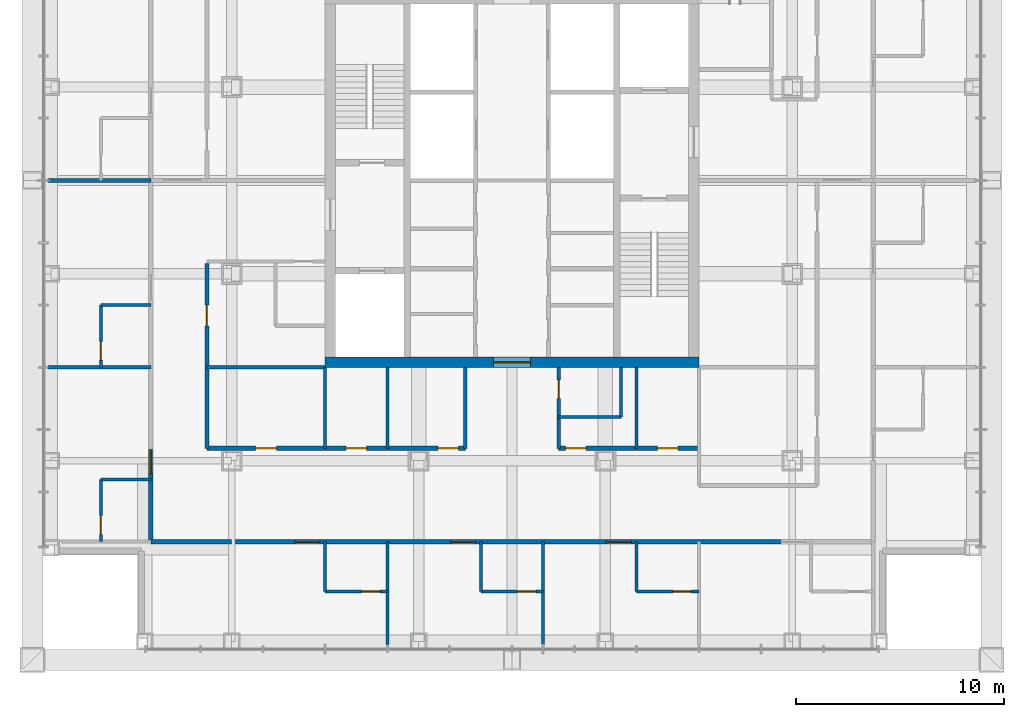
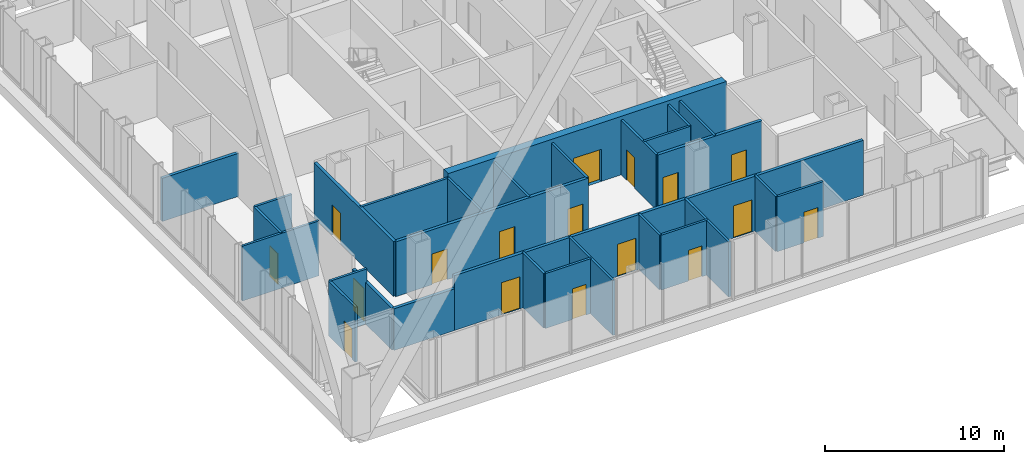
# One storey, part 11 of 16: 29 walls, 17 doors, 17 openings.
"""IFC4 building model written with IfcOpenShell, lengths in metres."""

from ifc_helpers import new_model, si_unit, direction, frame, frame_2d, origin, place, context, subcontext, project, spatial, rectangle, extrude, material, layer, layer_set, type_object, element, fill, save


model = new_model("IFC4")

# Units and contexts
model_context = context("Model", 3, precision=1e-05, world=origin(), true_north=direction((0.0, 1.0)))
body_context = subcontext(model_context, "Body", "Model", "MODEL_VIEW")
ifc_project = project(units=[si_unit("LENGTHUNIT", "METRE"), si_unit("AREAUNIT", "SQUARE_METRE"), si_unit("VOLUMEUNIT", "CUBIC_METRE"), si_unit("PLANEANGLEUNIT", "RADIAN"), si_unit("MASSUNIT", "GRAM", prefix="KILO")], contexts=[model_context])

# Site, building, storey
site_placement = place(None, origin())
site = spatial("IfcSite", under=ifc_project, at=site_placement, CompositionType="ELEMENT")
building_placement = place(site_placement, origin())
building = spatial("IfcBuilding", under=site, at=building_placement, Name="Malebo Sky Hospital", CompositionType="ELEMENT")
storey_placement = place(building_placement, frame((0.0, 0.0, 209.0)))
storey = spatial("IfcBuildingStorey", under=building, at=storey_placement, Name="L50", CompositionType="ELEMENT", Elevation=209.0)

# Wall, opening, door
ifc_material_1 = material(Name="Concrete C80/95", Category="concrete")
ifc_layer_1 = layer(ifc_material_1, 0.5)
ifc_layer_set_1 = layer_set([ifc_layer_1], Name="CORE WALL 500")
wall_type_1 = type_object("IfcWallType", Name="CORE WALL 500", PredefinedType="SHEAR", material=ifc_layer_set_1)
wall_1_placement = place(storey_placement, frame((51.0, 53.25, 0.0), z_axis=(0.0, 0.0, 1.0), x_axis=(1.0, 0.0, 0.0)))
wall_1 = element("IfcWall", 1, at=wall_1_placement, inside=storey, type_object=wall_type_1, Name="Core wall S L50", PredefinedType="SHEAR", context=body_context, shape_type="SweptSolid", body=[
    extrude(rectangle(XDim=18.0, YDim=0.5, at=frame_2d((9.0, 0.0))), origin(), (0.0, 0.0, 1.0), 4.0),
])
opening_1_placement = place(wall_1_placement, frame((8.10009765625, 0.0, 0.0)))
opening_1 = element("IfcOpeningElement", 2, at=opening_1_placement, cuts=wall_1, Name="Opening D06", PredefinedType="OPENING", context=body_context, shape_type="SweptSolid", body=[
    extrude(rectangle(XDim=1.800048828125, YDim=2.199951171875, at=frame_2d((0.89990234375, 1.10009765625))), frame((0.0, 0.260009765625, 0.0), z_axis=(0.0, -1.0, 0.0), x_axis=(1.0, 0.0, 0.0)), (0.0, 0.0, 1.0), 0.52001953125),
])
ifc_material_2 = material(Name="Hardwood-faced door leaf in steel frame", Category="steel")
door_type_1 = type_object("IfcDoorType", Name="LOBBY DOOR PAIR 1800", OperationType="DOUBLE_DOOR_SINGLE_SWING", PredefinedType="DOOR", material=ifc_material_2)
door_1_placement = place(opening_1_placement, origin())
door_1 = element("IfcDoor", 3, at=door_1_placement, inside=storey, type_object=door_type_1, Name="Service lobby door south", OperationType="DOUBLE_DOOR_SINGLE_SWING", OverallHeight=2.199951171875, OverallWidth=1.800048828125, PredefinedType="DOOR", context=body_context, shape_type="SweptSolid", body=[
    extrude(rectangle(XDim=1.800048828125, YDim=2.199951171875, at=frame_2d((0.89990234375, 1.10009765625))), frame((0.0, 0.02490234375, 0.0), z_axis=(0.0, -1.0, 0.0), x_axis=(1.0, 0.0, 0.0)), (0.0, 0.0, 1.0), 0.050048828125),
])
fill(opening_1, door_1)

ifc_material_3 = material(Name="Gypsum board on steel studs", Category="steel")
ifc_layer_2 = layer(ifc_material_3, 0.199951171875)
ifc_layer_set_2 = layer_set([ifc_layer_2], Name="CORRIDOR WALL 200")
wall_type_2 = type_object("IfcWallType", Name="CORRIDOR WALL 200", PredefinedType="PARTITIONING", material=ifc_layer_set_2)
wall_2_placement = place(storey_placement, frame((42.60009765625, 44.60009765625, 0.0), z_axis=(0.0, 0.0, 1.0), x_axis=(0.0, 1.0, 0.0)))
wall_2 = element("IfcWall", 4, at=wall_2_placement, inside=storey, type_object=wall_type_2, Name="Corridor Wall 200 WCO", PredefinedType="PARTITIONING", context=body_context, shape_type="SweptSolid", body=[
    extrude(rectangle(XDim=4.449951171875, YDim=0.199951171875, at=frame_2d((2.22509765625, 0.0))), origin(), (0.0, 0.0, 1.0), 2.85009765625),
])
opening_2_placement = place(wall_2_placement, frame((3.25, 0.0, 0.0)))
opening_2 = element("IfcOpeningElement", 5, at=opening_2_placement, cuts=wall_2, Name="Opening D01", PredefinedType="OPENING", context=body_context, shape_type="SweptSolid", body=[
    extrude(rectangle(XDim=1.199951171875, YDim=2.199951171875, at=frame_2d((0.60009765625, 1.10009765625))), frame((0.0, 0.10986328125, 0.0), z_axis=(0.0, -1.0, 0.0), x_axis=(1.0, 0.0, 0.0)), (0.0, 0.0, 1.0), 0.219970703125),
])
door_type_2 = type_object("IfcDoorType", Name="BED DOOR 1200", OperationType="SINGLE_SWING_LEFT", PredefinedType="DOOR", material=ifc_material_2)
door_2_placement = place(opening_2_placement, origin())
door_2 = element("IfcDoor", 6, at=door_2_placement, inside=storey, type_object=door_type_2, Name="Birthing room door", OperationType="SINGLE_SWING_LEFT", OverallHeight=2.199951171875, OverallWidth=1.199951171875, PredefinedType="DOOR", context=body_context, shape_type="SweptSolid", body=[
    extrude(rectangle(XDim=1.199951171875, YDim=2.199951171875, at=frame_2d((0.60009765625, 1.10009765625))), frame((0.0, 0.02490234375, 0.0), z_axis=(0.0, -1.0, 0.0), x_axis=(1.0, 0.0, 0.0)), (0.0, 0.0, 1.0), 0.050048828125),
])
fill(opening_2, door_2)

wall_3_placement = place(storey_placement, frame((45.300048828125, 49.10009765625, 0.0), z_axis=(0.0, 0.0, 1.0), x_axis=(0.0, 1.0, 0.0)))
wall_3 = element("IfcWall", 7, at=wall_3_placement, inside=storey, type_object=wall_type_2, Name="Corridor Wall 200 WCI1", PredefinedType="PARTITIONING", context=body_context, shape_type="SweptSolid", body=[
    extrude(rectangle(XDim=8.89990234375, YDim=0.199951171875, at=frame_2d((4.449951171875, 0.0))), origin(), (0.0, 0.0, 1.0), 3.75),
])
opening_3_placement = place(wall_3_placement, frame((5.89990234375, 0.0, 0.0)))
opening_3 = element("IfcOpeningElement", 8, at=opening_3_placement, cuts=wall_3, Name="Opening D03", PredefinedType="OPENING", context=body_context, shape_type="SweptSolid", body=[
    extrude(rectangle(XDim=1.0, YDim=2.10009765625, at=frame_2d((0.5, 1.050048828125))), frame((0.0, 0.10986328125, 0.0), z_axis=(0.0, -1.0, 0.0), x_axis=(1.0, 0.0, 0.0)), (0.0, 0.0, 1.0), 0.219970703125),
])
door_type_3 = type_object("IfcDoorType", Name="ROOM DOOR 1000", OperationType="SINGLE_SWING_LEFT", PredefinedType="DOOR", material=ifc_material_2)
door_3_placement = place(opening_3_placement, origin())
door_3 = element("IfcDoor", 9, at=door_3_placement, inside=storey, type_object=door_type_3, Name="Clean utility room door", OperationType="SINGLE_SWING_LEFT", OverallHeight=2.10009765625, OverallWidth=1.0, PredefinedType="DOOR", context=body_context, shape_type="SweptSolid", body=[
    extrude(rectangle(XDim=1.0, YDim=2.10009765625, at=frame_2d((0.5, 1.050048828125))), frame((0.0, 0.02490234375, 0.0), z_axis=(0.0, -1.0, 0.0), x_axis=(1.0, 0.0, 0.0)), (0.0, 0.0, 1.0), 0.050048828125),
])
fill(opening_3, door_3)

# Wall, openings, doors
wall_4_placement = place(storey_placement, frame((72.949951171875, 44.60009765625, 0.0), z_axis=(0.0, 0.0, 1.0), x_axis=(-1.0, 0.0, 0.0)))
wall_4 = element("IfcWall", 10, at=wall_4_placement, inside=storey, type_object=wall_type_2, Name="Corridor Wall 200 SCO", PredefinedType="PARTITIONING", context=body_context, shape_type="SweptSolid", body=[
    extrude(rectangle(XDim=26.449951171875, YDim=0.199951171875, at=frame_2d((13.22509765625, 0.0))), origin(), (0.0, 0.0, 1.0), 3.75),
])
opening_4_placement = place(wall_4_placement, frame((7.199951171875, 0.0, 0.0)))
opening_4 = element("IfcOpeningElement", 11, at=opening_4_placement, cuts=wall_4, Name="Opening D01", PredefinedType="OPENING", context=body_context, shape_type="SweptSolid", body=[
    extrude(rectangle(XDim=1.199951171875, YDim=2.199951171875, at=frame_2d((0.60009765625, 1.10009765625))), frame((0.0, 0.10986328125, 0.0), z_axis=(0.0, -1.0, 0.0), x_axis=(1.0, 0.0, 0.0)), (0.0, 0.0, 1.0), 0.219970703125),
])
opening_5_placement = place(wall_4_placement, frame((14.699951171875, 0.0, 0.0)))
opening_5 = element("IfcOpeningElement", 12, at=opening_5_placement, cuts=wall_4, Name="Opening D01", PredefinedType="OPENING", context=body_context, shape_type="SweptSolid", body=[
    extrude(rectangle(XDim=1.199951171875, YDim=2.199951171875, at=frame_2d((0.60009765625, 1.10009765625))), frame((0.0, 0.10986328125, 0.0), z_axis=(0.0, -1.0, 0.0), x_axis=(1.0, 0.0, 0.0)), (0.0, 0.0, 1.0), 0.219970703125),
])
opening_6_placement = place(wall_4_placement, frame((22.199951171875, 0.0, 0.0)))
opening_6 = element("IfcOpeningElement", 13, at=opening_6_placement, cuts=wall_4, Name="Opening D01", PredefinedType="OPENING", context=body_context, shape_type="SweptSolid", body=[
    extrude(rectangle(XDim=1.199951171875, YDim=2.199951171875, at=frame_2d((0.60009765625, 1.10009765625))), frame((0.0, 0.10986328125, 0.0), z_axis=(0.0, -1.0, 0.0), x_axis=(1.0, 0.0, 0.0)), (0.0, 0.0, 1.0), 0.219970703125),
])
door_4_placement = place(opening_4_placement, origin())
door_4 = element("IfcDoor", 14, at=door_4_placement, inside=storey, type_object=door_type_2, Name="Birthing room door", OperationType="SINGLE_SWING_LEFT", OverallHeight=2.199951171875, OverallWidth=1.199951171875, PredefinedType="DOOR", context=body_context, shape_type="SweptSolid", body=[
    extrude(rectangle(XDim=1.199951171875, YDim=2.199951171875, at=frame_2d((0.60009765625, 1.10009765625))), frame((0.0, 0.02490234375, 0.0), z_axis=(0.0, -1.0, 0.0), x_axis=(1.0, 0.0, 0.0)), (0.0, 0.0, 1.0), 0.050048828125),
])
fill(opening_4, door_4)
door_5_placement = place(opening_5_placement, origin())
door_5 = element("IfcDoor", 15, at=door_5_placement, inside=storey, type_object=door_type_2, Name="Birthing room door", OperationType="SINGLE_SWING_LEFT", OverallHeight=2.199951171875, OverallWidth=1.199951171875, PredefinedType="DOOR", context=body_context, shape_type="SweptSolid", body=[
    extrude(rectangle(XDim=1.199951171875, YDim=2.199951171875, at=frame_2d((0.60009765625, 1.10009765625))), frame((0.0, 0.02490234375, 0.0), z_axis=(0.0, -1.0, 0.0), x_axis=(1.0, 0.0, 0.0)), (0.0, 0.0, 1.0), 0.050048828125),
])
fill(opening_5, door_5)
door_6_placement = place(opening_6_placement, origin())
door_6 = element("IfcDoor", 16, at=door_6_placement, inside=storey, type_object=door_type_2, Name="Birthing room door", OperationType="SINGLE_SWING_LEFT", OverallHeight=2.199951171875, OverallWidth=1.199951171875, PredefinedType="DOOR", context=body_context, shape_type="SweptSolid", body=[
    extrude(rectangle(XDim=1.199951171875, YDim=2.199951171875, at=frame_2d((0.60009765625, 1.10009765625))), frame((0.0, 0.02490234375, 0.0), z_axis=(0.0, -1.0, 0.0), x_axis=(1.0, 0.0, 0.0)), (0.0, 0.0, 1.0), 0.050048828125),
])
fill(opening_6, door_6)

# Wall
wall_5_placement = place(storey_placement, frame((46.5, 44.60009765625, 0.0), z_axis=(0.0, 0.0, 1.0), x_axis=(-1.0, 0.0, 0.0)))
element("IfcWall", 17, at=wall_5_placement, inside=storey, type_object=wall_type_2, Name="Corridor Wall 200 SCO", PredefinedType="PARTITIONING", context=body_context, shape_type="SweptSolid", body=[
    extrude(rectangle(XDim=3.89990234375, YDim=0.199951171875, at=frame_2d((1.949951171875, 0.0))), origin(), (0.0, 0.0, 1.0), 2.85009765625),
])

# Wall, openings, doors
wall_6_placement = place(storey_placement, frame((69.0, 49.10009765625, 0.0), z_axis=(0.0, 0.0, 1.0), x_axis=(-1.0, 0.0, 0.0)))
wall_6 = element("IfcWall", 18, at=wall_6_placement, inside=storey, type_object=wall_type_2, Name="Corridor Wall 200 SCI1", PredefinedType="PARTITIONING", context=body_context, shape_type="SweptSolid", body=[
    extrude(rectangle(XDim=6.75, YDim=0.199951171875, at=frame_2d((3.375, 0.0))), origin(), (0.0, 0.0, 1.0), 3.75),
])
opening_7_placement = place(wall_6_placement, frame((1.0, 0.0, 0.0)))
opening_7 = element("IfcOpeningElement", 19, at=opening_7_placement, cuts=wall_6, Name="Opening D03", PredefinedType="OPENING", context=body_context, shape_type="SweptSolid", body=[
    extrude(rectangle(XDim=1.0, YDim=2.10009765625, at=frame_2d((0.5, 1.050048828125))), frame((0.0, 0.10986328125, 0.0), z_axis=(0.0, -1.0, 0.0), x_axis=(1.0, 0.0, 0.0)), (0.0, 0.0, 1.0), 0.219970703125),
])
opening_8_placement = place(wall_6_placement, frame((5.425048828125, 0.0, 0.0)))
opening_8 = element("IfcOpeningElement", 20, at=opening_8_placement, cuts=wall_6, Name="Opening D03", PredefinedType="OPENING", context=body_context, shape_type="SweptSolid", body=[
    extrude(rectangle(XDim=1.0, YDim=2.10009765625, at=frame_2d((0.5, 1.050048828125))), frame((0.0, 0.10986328125, 0.0), z_axis=(0.0, -1.0, 0.0), x_axis=(1.0, 0.0, 0.0)), (0.0, 0.0, 1.0), 0.219970703125),
])
door_7_placement = place(opening_7_placement, origin())
door_7 = element("IfcDoor", 21, at=door_7_placement, inside=storey, type_object=door_type_3, Name="Ward office door", OperationType="SINGLE_SWING_LEFT", OverallHeight=2.10009765625, OverallWidth=1.0, PredefinedType="DOOR", context=body_context, shape_type="SweptSolid", body=[
    extrude(rectangle(XDim=1.0, YDim=2.10009765625, at=frame_2d((0.5, 1.050048828125))), frame((0.0, 0.02490234375, 0.0), z_axis=(0.0, -1.0, 0.0), x_axis=(1.0, 0.0, 0.0)), (0.0, 0.0, 1.0), 0.050048828125),
])
fill(opening_7, door_7)
door_8_placement = place(opening_8_placement, origin())
door_8 = element("IfcDoor", 22, at=door_8_placement, inside=storey, type_object=door_type_3, Name="Linen store door", OperationType="SINGLE_SWING_RIGHT", OverallHeight=2.10009765625, OverallWidth=1.0, PredefinedType="DOOR", context=body_context, shape_type="SweptSolid", body=[
    extrude(rectangle(XDim=1.0, YDim=2.10009765625, at=frame_2d((0.5, 1.050048828125))), frame((0.0, 0.02490234375, 0.0), z_axis=(0.0, -1.0, 0.0), x_axis=(1.0, 0.0, 0.0)), (0.0, 0.0, 1.0), 0.050048828125),
])
fill(opening_8, door_8)

wall_7_placement = place(storey_placement, frame((57.75, 49.10009765625, 0.0), z_axis=(0.0, 0.0, 1.0), x_axis=(-1.0, 0.0, 0.0)))
wall_7 = element("IfcWall", 23, at=wall_7_placement, inside=storey, type_object=wall_type_2, Name="Corridor Wall 200 SCI2", PredefinedType="PARTITIONING", context=body_context, shape_type="SweptSolid", body=[
    extrude(rectangle(XDim=12.449951171875, YDim=0.199951171875, at=frame_2d((6.22509765625, 0.0))), origin(), (0.0, 0.0, 1.0), 3.75),
])
opening_9_placement = place(wall_7_placement, frame((0.324951171875, 0.0, 0.0)))
opening_9 = element("IfcOpeningElement", 24, at=opening_9_placement, cuts=wall_7, Name="Opening D03", PredefinedType="OPENING", context=body_context, shape_type="SweptSolid", body=[
    extrude(rectangle(XDim=1.0, YDim=2.10009765625, at=frame_2d((0.5, 1.050048828125))), frame((0.0, 0.10986328125, 0.0), z_axis=(0.0, -1.0, 0.0), x_axis=(1.0, 0.0, 0.0)), (0.0, 0.0, 1.0), 0.219970703125),
])
opening_10_placement = place(wall_7_placement, frame((4.75, 0.0, 0.0)))
opening_10 = element("IfcOpeningElement", 25, at=opening_10_placement, cuts=wall_7, Name="Opening D03", PredefinedType="OPENING", context=body_context, shape_type="SweptSolid", body=[
    extrude(rectangle(XDim=1.0, YDim=2.10009765625, at=frame_2d((0.5, 1.050048828125))), frame((0.0, 0.10986328125, 0.0), z_axis=(0.0, -1.0, 0.0), x_axis=(1.0, 0.0, 0.0)), (0.0, 0.0, 1.0), 0.219970703125),
])
opening_11_placement = place(wall_7_placement, frame((9.10009765625, 0.0, 0.0)))
opening_11 = element("IfcOpeningElement", 26, at=opening_11_placement, cuts=wall_7, Name="Opening D03", PredefinedType="OPENING", context=body_context, shape_type="SweptSolid", body=[
    extrude(rectangle(XDim=1.0, YDim=2.10009765625, at=frame_2d((0.5, 1.050048828125))), frame((0.0, 0.10986328125, 0.0), z_axis=(0.0, -1.0, 0.0), x_axis=(1.0, 0.0, 0.0)), (0.0, 0.0, 1.0), 0.219970703125),
])
door_9_placement = place(opening_9_placement, origin())
door_9 = element("IfcDoor", 27, at=door_9_placement, inside=storey, type_object=door_type_3, Name="Ward pantry door", OperationType="SINGLE_SWING_LEFT", OverallHeight=2.10009765625, OverallWidth=1.0, PredefinedType="DOOR", context=body_context, shape_type="SweptSolid", body=[
    extrude(rectangle(XDim=1.0, YDim=2.10009765625, at=frame_2d((0.5, 1.050048828125))), frame((0.0, 0.02490234375, 0.0), z_axis=(0.0, -1.0, 0.0), x_axis=(1.0, 0.0, 0.0)), (0.0, 0.0, 1.0), 0.050048828125),
])
fill(opening_9, door_9)
door_10_placement = place(opening_10_placement, origin())
door_10 = element("IfcDoor", 28, at=door_10_placement, inside=storey, type_object=door_type_3, Name="Equipment store door", OperationType="SINGLE_SWING_LEFT", OverallHeight=2.10009765625, OverallWidth=1.0, PredefinedType="DOOR", context=body_context, shape_type="SweptSolid", body=[
    extrude(rectangle(XDim=1.0, YDim=2.10009765625, at=frame_2d((0.5, 1.050048828125))), frame((0.0, 0.02490234375, 0.0), z_axis=(0.0, -1.0, 0.0), x_axis=(1.0, 0.0, 0.0)), (0.0, 0.0, 1.0), 0.050048828125),
])
fill(opening_10, door_10)
door_11_placement = place(opening_11_placement, origin())
door_11 = element("IfcDoor", 29, at=door_11_placement, inside=storey, type_object=door_type_3, Name="Birthing pool store door", OperationType="SINGLE_SWING_RIGHT", OverallHeight=2.10009765625, OverallWidth=1.0, PredefinedType="DOOR", context=body_context, shape_type="SweptSolid", body=[
    extrude(rectangle(XDim=1.0, YDim=2.10009765625, at=frame_2d((0.5, 1.050048828125))), frame((0.0, 0.02490234375, 0.0), z_axis=(0.0, -1.0, 0.0), x_axis=(1.0, 0.0, 0.0)), (0.0, 0.0, 1.0), 0.050048828125),
])
fill(opening_11, door_11)

# Wall
ifc_layer_3 = layer(ifc_material_3, 0.14990234375)
ifc_layer_set_3 = layer_set([ifc_layer_3], Name="PARTITION 150")
wall_type_3 = type_object("IfcWallType", Name="PARTITION 150", PredefinedType="PARTITIONING", material=ifc_layer_set_3)
wall_8_placement = place(storey_placement, frame((42.60009765625, 53.0, 0.0), z_axis=(0.0, 0.0, 1.0), x_axis=(-1.0, 0.0, 0.0)))
element("IfcWall", 30, at=wall_8_placement, inside=storey, type_object=wall_type_3, Name="Partition 150 WP-9.0", PredefinedType="PARTITIONING", context=body_context, shape_type="SweptSolid", body=[
    extrude(rectangle(XDim=4.9501953125, YDim=0.14990234375, at=frame_2d((2.47509765625, 0.0))), origin(), (0.0, 0.0, 1.0), 3.75),
])

# Wall, opening, door
wall_9_placement = place(storey_placement, frame((40.199951171875, 44.60009765625, 0.0), z_axis=(0.0, 0.0, 1.0), x_axis=(0.0, 1.0, 0.0)))
wall_9 = element("IfcWall", 31, at=wall_9_placement, inside=storey, type_object=wall_type_3, Name="Partition 150 WE0F", PredefinedType="PARTITIONING", context=body_context, shape_type="SweptSolid", body=[
    extrude(rectangle(XDim=3.0, YDim=0.14990234375, at=frame_2d((1.5, 0.0))), origin(), (0.0, 0.0, 1.0), 3.75),
])
opening_12_placement = place(wall_9_placement, frame((0.35009765625, 0.0, 0.0)))
opening_12 = element("IfcOpeningElement", 32, at=opening_12_placement, cuts=wall_9, Name="Opening D02", PredefinedType="OPENING", context=body_context, shape_type="SweptSolid", body=[
    extrude(rectangle(XDim=0.89990234375, YDim=2.10009765625, at=frame_2d((0.449951171875, 1.050048828125))), frame((0.0, 0.0849609375, 0.0), z_axis=(0.0, -1.0, 0.0), x_axis=(1.0, 0.0, 0.0)), (0.0, 0.0, 1.0), 0.169921875),
])
door_type_4 = type_object("IfcDoorType", Name="EN-SUITE DOOR 900", OperationType="SINGLE_SWING_LEFT", PredefinedType="DOOR", material=ifc_material_2)
door_12_placement = place(opening_12_placement, origin())
door_12 = element("IfcDoor", 33, at=door_12_placement, inside=storey, type_object=door_type_4, Name="En-suite door", OperationType="SINGLE_SWING_LEFT", OverallHeight=2.10009765625, OverallWidth=0.89990234375, PredefinedType="DOOR", context=body_context, shape_type="SweptSolid", body=[
    extrude(rectangle(XDim=0.89990234375, YDim=2.10009765625, at=frame_2d((0.449951171875, 1.050048828125))), frame((0.0, 0.02490234375, 0.0), z_axis=(0.0, -1.0, 0.0), x_axis=(1.0, 0.0, 0.0)), (0.0, 0.0, 1.0), 0.050048828125),
])
fill(opening_12, door_12)

# Wall
wall_10_placement = place(storey_placement, frame((42.60009765625, 47.60009765625, 0.0), z_axis=(0.0, 0.0, 1.0), x_axis=(-1.0, 0.0, 0.0)))
element("IfcWall", 34, at=wall_10_placement, inside=storey, type_object=wall_type_3, Name="Partition 150 WE0S", PredefinedType="PARTITIONING", context=body_context, shape_type="SweptSolid", body=[
    extrude(rectangle(XDim=2.400146484375, YDim=0.14990234375, at=frame_2d((1.2001953125, 0.0))), origin(), (0.0, 0.0, 1.0), 3.75),
])

# Wall, opening, door
wall_11_placement = place(storey_placement, frame((40.199951171875, 53.0, 0.0), z_axis=(0.0, 0.0, 1.0), x_axis=(0.0, 1.0, 0.0)))
wall_11 = element("IfcWall", 35, at=wall_11_placement, inside=storey, type_object=wall_type_3, Name="Partition 150 WE1F", PredefinedType="PARTITIONING", context=body_context, shape_type="SweptSolid", body=[
    extrude(rectangle(XDim=3.0, YDim=0.14990234375, at=frame_2d((1.5, 0.0))), origin(), (0.0, 0.0, 1.0), 3.75),
])
opening_13_placement = place(wall_11_placement, frame((0.35009765625, 0.0, 0.0)))
opening_13 = element("IfcOpeningElement", 36, at=opening_13_placement, cuts=wall_11, Name="Opening D02", PredefinedType="OPENING", context=body_context, shape_type="SweptSolid", body=[
    extrude(rectangle(XDim=0.89990234375, YDim=2.10009765625, at=frame_2d((0.449951171875, 1.050048828125))), frame((0.0, 0.0849609375, 0.0), z_axis=(0.0, -1.0, 0.0), x_axis=(1.0, 0.0, 0.0)), (0.0, 0.0, 1.0), 0.169921875),
])
door_13_placement = place(opening_13_placement, origin())
door_13 = element("IfcDoor", 37, at=door_13_placement, inside=storey, type_object=door_type_4, Name="En-suite door", OperationType="SINGLE_SWING_LEFT", OverallHeight=2.10009765625, OverallWidth=0.89990234375, PredefinedType="DOOR", context=body_context, shape_type="SweptSolid", body=[
    extrude(rectangle(XDim=0.89990234375, YDim=2.10009765625, at=frame_2d((0.449951171875, 1.050048828125))), frame((0.0, 0.02490234375, 0.0), z_axis=(0.0, -1.0, 0.0), x_axis=(1.0, 0.0, 0.0)), (0.0, 0.0, 1.0), 0.050048828125),
])
fill(opening_13, door_13)

# Walls
wall_12_placement = place(storey_placement, frame((42.60009765625, 56.0, 0.0), z_axis=(0.0, 0.0, 1.0), x_axis=(-1.0, 0.0, 0.0)))
element("IfcWall", 38, at=wall_12_placement, inside=storey, type_object=wall_type_3, Name="Partition 150 WE1S", PredefinedType="PARTITIONING", context=body_context, shape_type="SweptSolid", body=[
    extrude(rectangle(XDim=2.400146484375, YDim=0.14990234375, at=frame_2d((1.2001953125, 0.0))), origin(), (0.0, 0.0, 1.0), 3.75),
])
wall_13_placement = place(storey_placement, frame((51.0, 53.0, 0.0), z_axis=(0.0, 0.0, 1.0), x_axis=(-1.0, 0.0, 0.0)))
element("IfcWall", 39, at=wall_13_placement, inside=storey, type_object=wall_type_3, Name="Partition 150 WSP0", PredefinedType="PARTITIONING", context=body_context, shape_type="SweptSolid", body=[
    extrude(rectangle(XDim=5.699951171875, YDim=0.14990234375, at=frame_2d((2.85009765625, 0.0))), origin(), (0.0, 0.0, 1.0), 3.75),
])
for number, where, z_axis, x_axis, name in (
    (40, (61.5, 44.60009765625, 0.0), (0.0, 0.0, 1.0), (0.0, -1.0, 0.0), "Partition 150 SP-1.5"),
    (41, (54.0, 44.60009765625, 0.0), (0.0, 0.0, 1.0), (0.0, -1.0, 0.0), "Partition 150 SP+6.0"),
):
    element("IfcWall", number, at=place(storey_placement, frame(where, z_axis=z_axis, x_axis=x_axis)), inside=storey, type_object=wall_type_3, Name=name, PredefinedType="PARTITIONING", context=body_context, shape_type="SweptSolid", body=[
        extrude(rectangle(XDim=4.9501953125, YDim=0.14990234375, at=frame_2d((2.47509765625, 0.0))), origin(), (0.0, 0.0, 1.0), 3.75),
    ])

# Wall, opening, door
wall_14_placement = place(storey_placement, frame((69.0, 42.199951171875, 0.0), z_axis=(0.0, 0.0, 1.0), x_axis=(-1.0, 0.0, 0.0)))
wall_14 = element("IfcWall", 42, at=wall_14_placement, inside=storey, type_object=wall_type_3, Name="Partition 150 SE1F", PredefinedType="PARTITIONING", context=body_context, shape_type="SweptSolid", body=[
    extrude(rectangle(XDim=3.0, YDim=0.14990234375, at=frame_2d((1.5, 0.0))), origin(), (0.0, 0.0, 1.0), 3.75),
])
opening_14_placement = place(wall_14_placement, frame((0.35009765625, 0.0, 0.0)))
opening_14 = element("IfcOpeningElement", 43, at=opening_14_placement, cuts=wall_14, Name="Opening D02", PredefinedType="OPENING", context=body_context, shape_type="SweptSolid", body=[
    extrude(rectangle(XDim=0.89990234375, YDim=2.10009765625, at=frame_2d((0.449951171875, 1.050048828125))), frame((0.0, 0.0849609375, 0.0), z_axis=(0.0, -1.0, 0.0), x_axis=(1.0, 0.0, 0.0)), (0.0, 0.0, 1.0), 0.169921875),
])
door_14_placement = place(opening_14_placement, origin())
door_14 = element("IfcDoor", 44, at=door_14_placement, inside=storey, type_object=door_type_4, Name="En-suite door", OperationType="SINGLE_SWING_LEFT", OverallHeight=2.10009765625, OverallWidth=0.89990234375, PredefinedType="DOOR", context=body_context, shape_type="SweptSolid", body=[
    extrude(rectangle(XDim=0.89990234375, YDim=2.10009765625, at=frame_2d((0.449951171875, 1.050048828125))), frame((0.0, 0.02490234375, 0.0), z_axis=(0.0, -1.0, 0.0), x_axis=(1.0, 0.0, 0.0)), (0.0, 0.0, 1.0), 0.050048828125),
])
fill(opening_14, door_14)

# Wall
wall_15_placement = place(storey_placement, frame((66.0, 44.60009765625, 0.0), z_axis=(0.0, 0.0, 1.0), x_axis=(0.0, -1.0, 0.0)))
element("IfcWall", 45, at=wall_15_placement, inside=storey, type_object=wall_type_3, Name="Partition 150 SE1S", PredefinedType="PARTITIONING", context=body_context, shape_type="SweptSolid", body=[
    extrude(rectangle(XDim=2.400146484375, YDim=0.14990234375, at=frame_2d((1.2001953125, 0.0))), origin(), (0.0, 0.0, 1.0), 3.75),
])

# Wall, opening, door
wall_16_placement = place(storey_placement, frame((61.5, 42.199951171875, 0.0), z_axis=(0.0, 0.0, 1.0), x_axis=(-1.0, 0.0, 0.0)))
wall_16 = element("IfcWall", 46, at=wall_16_placement, inside=storey, type_object=wall_type_3, Name="Partition 150 SE2F", PredefinedType="PARTITIONING", context=body_context, shape_type="SweptSolid", body=[
    extrude(rectangle(XDim=3.0, YDim=0.14990234375, at=frame_2d((1.5, 0.0))), origin(), (0.0, 0.0, 1.0), 3.75),
])
opening_15_placement = place(wall_16_placement, frame((0.35009765625, 0.0, 0.0)))
opening_15 = element("IfcOpeningElement", 47, at=opening_15_placement, cuts=wall_16, Name="Opening D02", PredefinedType="OPENING", context=body_context, shape_type="SweptSolid", body=[
    extrude(rectangle(XDim=0.89990234375, YDim=2.10009765625, at=frame_2d((0.449951171875, 1.050048828125))), frame((0.0, 0.0849609375, 0.0), z_axis=(0.0, -1.0, 0.0), x_axis=(1.0, 0.0, 0.0)), (0.0, 0.0, 1.0), 0.169921875),
])
door_15_placement = place(opening_15_placement, origin())
door_15 = element("IfcDoor", 48, at=door_15_placement, inside=storey, type_object=door_type_4, Name="En-suite door", OperationType="SINGLE_SWING_LEFT", OverallHeight=2.10009765625, OverallWidth=0.89990234375, PredefinedType="DOOR", context=body_context, shape_type="SweptSolid", body=[
    extrude(rectangle(XDim=0.89990234375, YDim=2.10009765625, at=frame_2d((0.449951171875, 1.050048828125))), frame((0.0, 0.02490234375, 0.0), z_axis=(0.0, -1.0, 0.0), x_axis=(1.0, 0.0, 0.0)), (0.0, 0.0, 1.0), 0.050048828125),
])
fill(opening_15, door_15)

# Wall
wall_17_placement = place(storey_placement, frame((58.5, 44.60009765625, 0.0), z_axis=(0.0, 0.0, 1.0), x_axis=(0.0, -1.0, 0.0)))
element("IfcWall", 49, at=wall_17_placement, inside=storey, type_object=wall_type_3, Name="Partition 150 SE2S", PredefinedType="PARTITIONING", context=body_context, shape_type="SweptSolid", body=[
    extrude(rectangle(XDim=2.400146484375, YDim=0.14990234375, at=frame_2d((1.2001953125, 0.0))), origin(), (0.0, 0.0, 1.0), 3.75),
])

# Wall, opening, door
wall_18_placement = place(storey_placement, frame((54.0, 42.199951171875, 0.0), z_axis=(0.0, 0.0, 1.0), x_axis=(-1.0, 0.0, 0.0)))
wall_18 = element("IfcWall", 50, at=wall_18_placement, inside=storey, type_object=wall_type_3, Name="Partition 150 SE3F", PredefinedType="PARTITIONING", context=body_context, shape_type="SweptSolid", body=[
    extrude(rectangle(XDim=3.0, YDim=0.14990234375, at=frame_2d((1.5, 0.0))), origin(), (0.0, 0.0, 1.0), 3.75),
])
opening_16_placement = place(wall_18_placement, frame((0.35009765625, 0.0, 0.0)))
opening_16 = element("IfcOpeningElement", 51, at=opening_16_placement, cuts=wall_18, Name="Opening D02", PredefinedType="OPENING", context=body_context, shape_type="SweptSolid", body=[
    extrude(rectangle(XDim=0.89990234375, YDim=2.10009765625, at=frame_2d((0.449951171875, 1.050048828125))), frame((0.0, 0.0849609375, 0.0), z_axis=(0.0, -1.0, 0.0), x_axis=(1.0, 0.0, 0.0)), (0.0, 0.0, 1.0), 0.169921875),
])
door_16_placement = place(opening_16_placement, origin())
door_16 = element("IfcDoor", 52, at=door_16_placement, inside=storey, type_object=door_type_4, Name="En-suite door", OperationType="SINGLE_SWING_LEFT", OverallHeight=2.10009765625, OverallWidth=0.89990234375, PredefinedType="DOOR", context=body_context, shape_type="SweptSolid", body=[
    extrude(rectangle(XDim=0.89990234375, YDim=2.10009765625, at=frame_2d((0.449951171875, 1.050048828125))), frame((0.0, 0.02490234375, 0.0), z_axis=(0.0, -1.0, 0.0), x_axis=(1.0, 0.0, 0.0)), (0.0, 0.0, 1.0), 0.050048828125),
])
fill(opening_16, door_16)

# Wall
wall_19_placement = place(storey_placement, frame((51.0, 44.60009765625, 0.0), z_axis=(0.0, 0.0, 1.0), x_axis=(0.0, -1.0, 0.0)))
element("IfcWall", 53, at=wall_19_placement, inside=storey, type_object=wall_type_3, Name="Partition 150 SE3S", PredefinedType="PARTITIONING", context=body_context, shape_type="SweptSolid", body=[
    extrude(rectangle(XDim=2.400146484375, YDim=0.14990234375, at=frame_2d((1.2001953125, 0.0))), origin(), (0.0, 0.0, 1.0), 3.75),
])

# Wall, opening, door
wall_20_placement = place(storey_placement, frame((62.25, 53.0, 0.0), z_axis=(0.0, 0.0, 1.0), x_axis=(0.0, -1.0, 0.0)))
wall_20 = element("IfcWall", 54, at=wall_20_placement, inside=storey, type_object=wall_type_3, Name="Partition 150 SSPA", PredefinedType="PARTITIONING", context=body_context, shape_type="SweptSolid", body=[
    extrude(rectangle(XDim=3.89990234375, YDim=0.14990234375, at=frame_2d((1.949951171875, 0.0))), origin(), (0.0, 0.0, 1.0), 3.75),
])
opening_17_placement = place(wall_20_placement, frame((0.60009765625, 0.0, 0.0)))
opening_17 = element("IfcOpeningElement", 55, at=opening_17_placement, cuts=wall_20, Name="Opening D04", PredefinedType="OPENING", context=body_context, shape_type="SweptSolid", body=[
    extrude(rectangle(XDim=0.89990234375, YDim=2.10009765625, at=frame_2d((0.449951171875, 1.050048828125))), frame((0.0, 0.0849609375, 0.0), z_axis=(0.0, -1.0, 0.0), x_axis=(1.0, 0.0, 0.0)), (0.0, 0.0, 1.0), 0.169921875),
])
door_type_5 = type_object("IfcDoorType", Name="ROOM DOOR 900", OperationType="SINGLE_SWING_LEFT", PredefinedType="DOOR", material=ifc_material_2)
door_17_placement = place(opening_17_placement, origin())
door_17 = element("IfcDoor", 56, at=door_17_placement, inside=storey, type_object=door_type_5, Name="Visitor WC door", OperationType="SINGLE_SWING_LEFT", OverallHeight=2.10009765625, OverallWidth=0.89990234375, PredefinedType="DOOR", context=body_context, shape_type="SweptSolid", body=[
    extrude(rectangle(XDim=0.89990234375, YDim=2.10009765625, at=frame_2d((0.449951171875, 1.050048828125))), frame((0.0, 0.02490234375, 0.0), z_axis=(0.0, -1.0, 0.0), x_axis=(1.0, 0.0, 0.0)), (0.0, 0.0, 1.0), 0.050048828125),
])
fill(opening_17, door_17)

# Walls
for number, where, z_axis, x_axis, name in (
    (57, (57.75, 53.0, 0.0), (0.0, 0.0, 1.0), (0.0, -1.0, 0.0), "Partition 150 SSPB"),
    (58, (66.0, 53.0, 0.0), (0.0, 0.0, 1.0), (0.0, -1.0, 0.0), "Partition 150 SSP-6.0"),
    (59, (54.0, 53.0, 0.0), (0.0, 0.0, 1.0), (0.0, -1.0, 0.0), "Partition 150 SSP+6.0"),
    (60, (51.0, 53.0, 0.0), (0.0, 0.0, 1.0), (0.0, -1.0, 0.0), "Partition 150 SSP+9.0"),
):
    element("IfcWall", number, at=place(storey_placement, frame(where, z_axis=z_axis, x_axis=x_axis)), inside=storey, type_object=wall_type_3, Name=name, PredefinedType="PARTITIONING", context=body_context, shape_type="SweptSolid", body=[
        extrude(rectangle(XDim=3.89990234375, YDim=0.14990234375, at=frame_2d((1.949951171875, 0.0))), origin(), (0.0, 0.0, 1.0), 3.75),
    ])
wall_21_placement = place(storey_placement, frame((65.25, 50.60009765625, 0.0), z_axis=(0.0, 0.0, 1.0), x_axis=(-1.0, 0.0, 0.0)))
element("IfcWall", 61, at=wall_21_placement, inside=storey, type_object=wall_type_3, Name="Partition 150 SSX1", PredefinedType="PARTITIONING", context=body_context, shape_type="SweptSolid", body=[
    extrude(rectangle(XDim=3.0, YDim=0.14990234375, at=frame_2d((1.5, 0.0))), origin(), (0.0, 0.0, 1.0), 3.75),
])
wall_22_placement = place(storey_placement, frame((65.25, 53.0, 0.0), z_axis=(0.0, 0.0, 1.0), x_axis=(0.0, -1.0, 0.0)))
element("IfcWall", 62, at=wall_22_placement, inside=storey, type_object=wall_type_3, Name="Partition 150 SSY1", PredefinedType="PARTITIONING", context=body_context, shape_type="SweptSolid", body=[
    extrude(rectangle(XDim=2.39990234375, YDim=0.14990234375, at=frame_2d((1.199951171875, 0.0))), origin(), (0.0, 0.0, 1.0), 3.75),
])
ifc_material_4 = material(Name="Concrete blockwork", Category="masonry")
ifc_layer_4 = layer(ifc_material_4, 0.199951171875)
ifc_layer_set_4 = layer_set([ifc_layer_4], Name="SMOKE BARRIER WALL 200")
wall_type_4 = type_object("IfcWallType", Name="SMOKE BARRIER WALL 200", PredefinedType="SOLIDWALL", material=ifc_layer_set_4)
wall_23_placement = place(storey_placement, frame((42.60009765625, 62.0, 0.0), z_axis=(0.0, 0.0, 1.0), x_axis=(-1.0, 0.0, 0.0)))
element("IfcWall", 63, at=wall_23_placement, inside=storey, type_object=wall_type_4, Name="Smoke Barrier Wall 200 WP+0.0", PredefinedType="SOLIDWALL", context=body_context, shape_type="SweptSolid", body=[
    extrude(rectangle(XDim=4.9501953125, YDim=0.199951171875, at=frame_2d((2.47509765625, 0.0))), origin(), (0.0, 0.0, 1.0), 2.949951171875),
])

save(model, "model.ifc")
